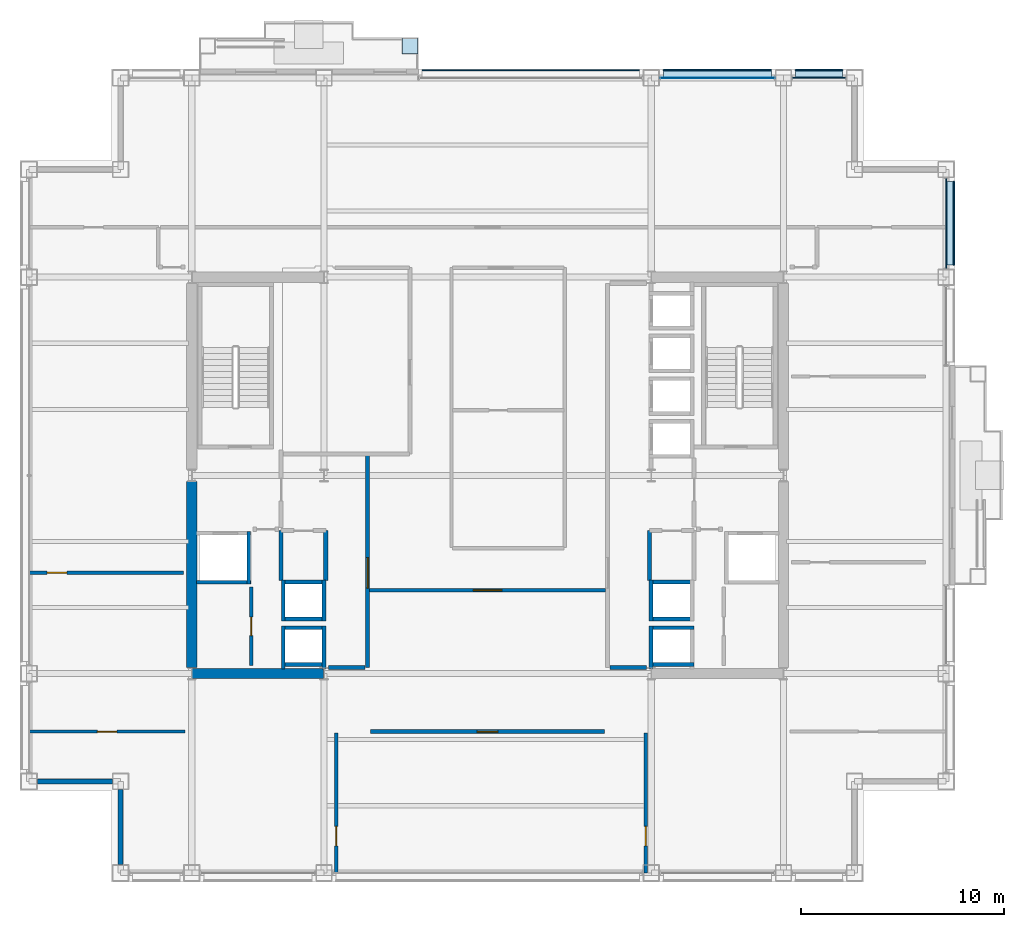
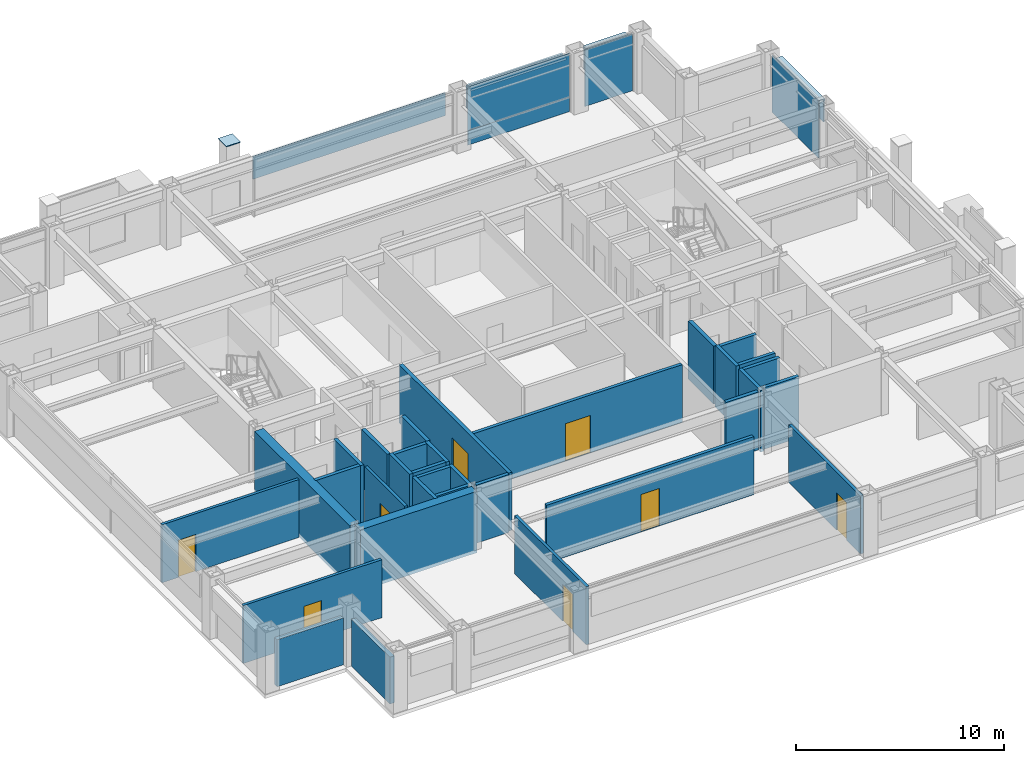
# One storey, part 24 of 29: 33 walls, 12 plates, 8 doors, 8 openings, 3 elements without a shape of their own.
"""IFC4 building model written with IfcOpenShell, lengths in metres."""

from ifc_helpers import new_model, si_unit, direction, frame, frame_2d, origin, origin_2d, place, context, subcontext, project, spatial, rectangle, extrude, material, layer, layer_set, type_object, element, fill, aggregate, save


model = new_model("IFC4")

# Units and contexts
model_context = context("Model", 3, precision=1e-05, world=origin(), true_north=direction((0.0, 1.0)))
body_context = subcontext(model_context, "Body", "Model", "MODEL_VIEW")
ifc_project = project(units=[si_unit("LENGTHUNIT", "METRE"), si_unit("AREAUNIT", "SQUARE_METRE"), si_unit("VOLUMEUNIT", "CUBIC_METRE"), si_unit("PLANEANGLEUNIT", "RADIAN"), si_unit("MASSUNIT", "GRAM", prefix="KILO")], contexts=[model_context])

# Site, building, storey
site_placement = place(None, origin())
site = spatial("IfcSite", under=ifc_project, at=site_placement, CompositionType="ELEMENT")
building_placement = place(site_placement, origin())
building = spatial("IfcBuilding", under=site, at=building_placement, Name="Brelmoor Portico Tower", CompositionType="ELEMENT")
storey_placement = place(building_placement, frame((0.0, 0.0, 124.199951171875)))
storey = spatial("IfcBuildingStorey", under=building, at=storey_placement, Name="L32", CompositionType="ELEMENT", Elevation=124.199951171875)

# Plate
ifc_material_1 = material(Name="Steel Q355B", Category="steel")
ifc_layer_1 = layer(ifc_material_1, 0.044921875)
ifc_layer_set_1 = layer_set([ifc_layer_1], Name="Steel Q355B")
plate_type_1 = type_object("IfcPlateType", Name="PT-CAP-650", PredefinedType="SHEET", material=ifc_layer_set_1)
plate_1_placement = place(storey_placement, frame((-3.820068359375, 21.1298828125, 3.60009765625), z_axis=(0.0, 0.0, 1.0), x_axis=(1.0, 0.0, 0.0)))
element("IfcPlate", 1, at=plate_1_placement, inside=storey, type_object=plate_type_1, Name="L32 Proud Picture-Frame Pier PFJ-N2 Welded Head Cap Plate", PredefinedType="SHEET", context=body_context, shape_type="SweptSolid", body=[
    extrude(rectangle(XDim=0.7900390625, YDim=0.7900390625, at=origin_2d()), origin(), (0.0, 0.0, 1.0), 0.0400390625),
])

# Curtain wall, plates
ifc_material_2 = material(Name="Anodised Aluminium Alloy 6063-T6", Category="aluminium")
ifc_layer_2 = layer(ifc_material_2, 0.179931640625)
ifc_layer_set_2 = layer_set([ifc_layer_2], Name="Anodised Aluminium Alloy 6063-T6")
curtain_wall_type_1 = type_object("IfcCurtainWallType", Name="CW-TOWER-Z2", PredefinedType="NOTDEFINED", material=ifc_layer_set_2)
curtain_wall_1_placement = place(storey_placement, origin())
curtain_wall_1 = element("IfcCurtainWall", 2, at=curtain_wall_1_placement, inside=storey, type_object=curtain_wall_type_1, Name="L32 Curtain Wall CW-L32-2R-2", PredefinedType="NOTDEFINED")
ifc_material_3 = material(Name="Double-Silver Low-E Insulated Glazing", Category="glass")
ifc_layer_3 = layer(ifc_material_3, 0.035888671875)
ifc_layer_set_3 = layer_set([ifc_layer_3], Name="Double-Silver Low-E Insulated Glazing")
plate_type_2 = type_object("IfcPlateType", Name="PT-CW-GLASS", PredefinedType="CURTAIN_PANEL", material=ifc_layer_set_3)
plate_2_placement = place(storey_placement, frame((11.300048828125, 19.550048828125, 0.85009765625), z_axis=(0.0, 0.0, 1.0), x_axis=(1.0, 0.0, 0.0)))
plate_2 = element("IfcPlate", 3, at=plate_2_placement, type_object=plate_type_2, Name="CW-L32-2R-2 Vision Glass Panel 00", PredefinedType="CURTAIN_PANEL", context=body_context, shape_type="SweptSolid", body=[
    extrude(rectangle(XDim=5.64990234375, YDim=0.035888671875, at=origin_2d()), origin(), (0.0, 0.0, 1.0), 2.550048828125),
])
ifc_material_4 = material(Name="Pale Champagne Anodised Aluminium Panel", Category="aluminium")
ifc_layer_4 = layer(ifc_material_4, 0.050048828125)
ifc_layer_set_4 = layer_set([ifc_layer_4], Name="Pale Champagne Anodised Aluminium Panel")
plate_type_3 = type_object("IfcPlateType", Name="PT-CW-SPANDREL", PredefinedType="SHEET", material=ifc_layer_set_4)
plate_3_placement = place(storey_placement, frame((11.300048828125, 19.550048828125, 0.0), z_axis=(0.0, 0.0, 1.0), x_axis=(1.0, 0.0, 0.0)))
plate_3 = element("IfcPlate", 4, at=plate_3_placement, type_object=plate_type_3, Name="CW-L32-2R-2 Spandrel Panel 00", PredefinedType="SHEET", context=body_context, shape_type="SweptSolid", body=[
    extrude(rectangle(XDim=5.64990234375, YDim=0.050048828125, at=origin_2d()), origin(), (0.0, 0.0, 1.0), 0.85009765625),
])
aggregate(curtain_wall_1, [plate_3, plate_2])

# Curtain wall, plate
ifc_layer_5 = layer(ifc_material_2, 0.179931640625)
ifc_layer_set_5 = layer_set([ifc_layer_5], Name="Anodised Aluminium Alloy 6063-T6")
curtain_wall_type_2 = type_object("IfcCurtainWallType", Name="CW-TOWER-Z2-XB", PredefinedType="NOTDEFINED", material=ifc_layer_set_5)
curtain_wall_2_placement = place(storey_placement, origin())
curtain_wall_2 = element("IfcCurtainWall", 5, at=curtain_wall_2_placement, inside=storey, type_object=curtain_wall_type_2, Name="L32 Curtain Wall CW-L32-2R-3", PredefinedType="NOTDEFINED")
plate_4_placement = place(storey_placement, frame((16.300048828125, 19.550048828125, 0.0), z_axis=(0.0, 0.0, 1.0), x_axis=(1.0, 0.0, 0.0)))
plate_4 = element("IfcPlate", 6, at=plate_4_placement, type_object=plate_type_3, Name="CW-L32-2R-3 Spandrel Panel 00", PredefinedType="SHEET", context=body_context, shape_type="SweptSolid", body=[
    extrude(rectangle(XDim=2.64990234375, YDim=0.050048828125, at=origin_2d()), origin(), (0.0, 0.0, 1.0), 3.330078125),
])
aggregate(curtain_wall_2, [plate_4])

curtain_wall_3_placement = place(storey_placement, origin())
curtain_wall_3 = element("IfcCurtainWall", 7, at=curtain_wall_3_placement, inside=storey, type_object=curtain_wall_type_2, Name="L32 Curtain Wall CW-L32-4R-2", PredefinedType="NOTDEFINED")
plate_5_placement = place(storey_placement, frame((22.550048828125, 12.39990234375, 0.0), z_axis=(0.0, 0.0, 1.0), x_axis=(0.0, 1.0, 0.0)))
plate_5 = element("IfcPlate", 8, at=plate_5_placement, type_object=plate_type_3, Name="CW-L32-4R-2 Spandrel Panel 00", PredefinedType="SHEET", context=body_context, shape_type="SweptSolid", body=[
    extrude(rectangle(XDim=4.449951171875, YDim=0.050048828125, at=origin_2d()), origin(), (0.0, 0.0, 1.0), 3.330078125),
])
aggregate(curtain_wall_3, [plate_5])

# Plates
ifc_material_5 = material(Name="Powder-Coated Aluminium Shuttered Jalousie Louvre", Category="aluminium")
ifc_layer_6 = layer(ifc_material_5, 0.06005859375)
ifc_layer_set_6 = layer_set([ifc_layer_6], Name="Powder-Coated Aluminium Shuttered Jalousie Louvre")
plate_type_4 = type_object("IfcPlateType", Name="PT-JALOUSIE-SHUTTER", PredefinedType="SHEET", material=ifc_layer_set_6)
plate_6_placement = place(storey_placement, frame((2.1201171875, 19.929931640625, 1.8740234375), z_axis=(0.0, 0.0, 1.0), x_axis=(1.0, 0.0, 0.0)))
element("IfcPlate", 9, at=plate_6_placement, inside=storey, type_object=plate_type_4, Name="CW-L32-2R-1 Perforated Jalousie Solar Screen", PredefinedType="SHEET", context=body_context, shape_type="SweptSolid", body=[
    extrude(rectangle(XDim=10.679931640625, YDim=0.06494140625, at=origin_2d()), origin(), (0.0, 0.0, 1.0), 1.325927734375),
])
plate_7_placement = place(storey_placement, frame((11.300048828125, 19.929931640625, 1.8740234375), z_axis=(0.0, 0.0, 1.0), x_axis=(1.0, 0.0, 0.0)))
element("IfcPlate", 10, at=plate_7_placement, inside=storey, type_object=plate_type_4, Name="CW-L32-2R-2 Perforated Jalousie Solar Screen", PredefinedType="SHEET", context=body_context, shape_type="SweptSolid", body=[
    extrude(rectangle(XDim=5.320068359375, YDim=0.06494140625, at=origin_2d()), origin(), (0.0, 0.0, 1.0), 1.325927734375),
])
plate_8_placement = place(storey_placement, frame((16.300048828125, 19.929931640625, 1.8740234375), z_axis=(0.0, 0.0, 1.0), x_axis=(1.0, 0.0, 0.0)))
element("IfcPlate", 11, at=plate_8_placement, inside=storey, type_object=plate_type_4, Name="CW-L32-2R-3 Perforated Jalousie Solar Screen", PredefinedType="SHEET", context=body_context, shape_type="SweptSolid", body=[
    extrude(rectangle(XDim=2.320068359375, YDim=0.06494140625, at=origin_2d()), origin(), (0.0, 0.0, 1.0), 1.325927734375),
])
plate_9_placement = place(storey_placement, frame((22.929931640625, 12.39990234375, 1.8740234375), z_axis=(0.0, 0.0, 1.0), x_axis=(0.0, 1.0, 0.0)))
element("IfcPlate", 12, at=plate_9_placement, inside=storey, type_object=plate_type_4, Name="CW-L32-4R-2 Perforated Jalousie Solar Screen", PredefinedType="SHEET", context=body_context, shape_type="SweptSolid", body=[
    extrude(rectangle(XDim=4.1201171875, YDim=0.06494140625, at=origin_2d()), origin(), (0.0, 0.0, 1.0), 1.325927734375),
])
ifc_material_6 = material(Name="Pale Champagne Perforated Aluminium Solar Screen", Category="aluminium")
ifc_layer_7 = layer(ifc_material_6, 0.054931640625)
ifc_layer_set_7 = layer_set([ifc_layer_7], Name="Pale Champagne Perforated Aluminium Solar Screen")
plate_type_5 = type_object("IfcPlateType", Name="PT-SOLAR-LOUVRE", PredefinedType="SHEET", material=ifc_layer_set_7)
plate_10_placement = place(storey_placement, frame((11.300048828125, 19.760009765625, 3.09033203125), z_axis=(0.0, 0.0, 1.0), x_axis=(1.0, 0.0, 0.0)))
element("IfcPlate", 13, at=plate_10_placement, inside=storey, type_object=plate_type_5, Name="CW-L32-2R-2 Caribbean Brise-Soleil Solar Screen", PredefinedType="SHEET", context=body_context, shape_type="SweptSolid", body=[
    extrude(rectangle(XDim=5.320068359375, YDim=0.4599609375, at=origin_2d()), origin(), (0.0, 0.0, 1.0), 0.139892578125),
])
plate_11_placement = place(storey_placement, frame((16.300048828125, 19.760009765625, 3.09033203125), z_axis=(0.0, 0.0, 1.0), x_axis=(1.0, 0.0, 0.0)))
element("IfcPlate", 14, at=plate_11_placement, inside=storey, type_object=plate_type_5, Name="CW-L32-2R-3 Caribbean Brise-Soleil Solar Screen", PredefinedType="SHEET", context=body_context, shape_type="SweptSolid", body=[
    extrude(rectangle(XDim=2.320068359375, YDim=0.4599609375, at=origin_2d()), origin(), (0.0, 0.0, 1.0), 0.139892578125),
])
plate_12_placement = place(storey_placement, frame((22.760009765625, 12.39990234375, 3.09033203125), z_axis=(0.0, 0.0, 1.0), x_axis=(0.0, 1.0, 0.0)))
element("IfcPlate", 15, at=plate_12_placement, inside=storey, type_object=plate_type_5, Name="CW-L32-4R-2 Caribbean Brise-Soleil Solar Screen", PredefinedType="SHEET", context=body_context, shape_type="SweptSolid", body=[
    extrude(rectangle(XDim=4.1201171875, YDim=0.4599609375, at=origin_2d()), origin(), (0.0, 0.0, 1.0), 0.139892578125),
])

# Walls
ifc_material_7 = material(Name="Concrete C60", Category="concrete")
ifc_layer_8 = layer(ifc_material_7, 0.5)
ifc_layer_set_8 = layer_set([ifc_layer_8], Name="Concrete C60")
wall_type_1 = type_object("IfcWallType", Name="WL-CORE-500", PredefinedType="SHEAR", material=ifc_layer_set_8)
wall_1_placement = place(storey_placement, frame((-14.530029296875, -9.75, -0.199951171875), z_axis=(0.0, 0.0, 1.0), x_axis=(1.0, 0.0, 0.0)))
element("IfcWall", 16, at=wall_1_placement, inside=storey, type_object=wall_type_1, Name="L32 WC South Shear Wall", PredefinedType="SHEAR", context=body_context, shape_type="SweptSolid", body=[
    extrude(rectangle(XDim=6.4599609375, YDim=0.5, at=frame_2d((3.22998046875, 0.0))), origin(), (0.0, 0.0, 1.0), 3.60009765625),
])
wall_2_placement = place(storey_placement, frame((-14.550048828125, -9.449951171875, -0.199951171875), z_axis=(0.0, 0.0, 1.0), x_axis=(0.0, 1.0, 0.0)))
element("IfcWall", 17, at=wall_2_placement, inside=storey, type_object=wall_type_1, Name="L32 WC Outer South Shear Wall", PredefinedType="SHEAR", context=body_context, shape_type="SweptSolid", body=[
    extrude(rectangle(XDim=9.14990234375, YDim=0.5, at=frame_2d((4.574951171875, 0.0))), origin(), (0.0, 0.0, 1.0), 3.60009765625),
])
ifc_material_8 = material(Name="Precast Concrete C40 Insulated Facade Wall", Category="concrete")
ifc_layer_9 = layer(ifc_material_8, 0.25)
ifc_layer_set_9 = layer_set([ifc_layer_9], Name="Precast Concrete C40 Insulated Facade Wall")
wall_type_2 = type_object("IfcWallType", Name="WL-EXT-250", PredefinedType="STANDARD", material=ifc_layer_set_9)
for number, where, z_axis, x_axis, name in (
    (18, (-22.139892578125, -15.050048828125, 0.0), (0.0, 0.0, 1.0), (1.0, 0.0, 0.0), "L32 Corner Notch Facade Wall NSWH1"),
    (19, (-18.050048828125, -19.139892578125, 0.0), (0.0, 0.0, 1.0), (0.0, 1.0, 0.0), "L32 Corner Notch Facade Wall NSWV1"),
):
    element("IfcWall", number, at=place(storey_placement, frame(where, z_axis=z_axis, x_axis=x_axis)), inside=storey, type_object=wall_type_2, Name=name, PredefinedType="STANDARD", context=body_context, shape_type="SweptSolid", body=[
        extrude(rectangle(XDim=3.679931640625, YDim=0.25, at=frame_2d((1.83984375, 0.0))), origin(), (0.0, 0.0, 1.0), 2.75),
    ])

# Wall, opening, door
ifc_material_9 = material(Name="Twin-Frame Acoustic Partition", Category="gypsum")
ifc_layer_10 = layer(ifc_material_9, 0.159912109375)
ifc_layer_set_10 = layer_set([ifc_layer_10], Name="Twin-Frame Acoustic Partition")
wall_type_3 = type_object("IfcWallType", Name="WL-PART-160", PredefinedType="PARTITIONING", material=ifc_layer_set_10)
wall_3_placement = place(storey_placement, frame((-11.6201171875, -9.35009765625, 0.0), z_axis=(0.0, 0.0, 1.0), x_axis=(0.0, 1.0, 0.0)))
wall_3 = element("IfcWall", 20, at=wall_3_placement, inside=storey, type_object=wall_type_3, Name="L32 W Core Service Front Wall", PredefinedType="PARTITIONING", context=body_context, shape_type="SweptSolid", body=[
    extrude(rectangle(XDim=3.85009765625, YDim=0.159912109375, at=frame_2d((1.925048828125, 0.0))), origin(), (0.0, 0.0, 1.0), 3.400146484375),
])
opening_1_placement = place(wall_3_placement, frame((1.47509765625, 0.0, 0.0)))
opening_1 = element("IfcOpeningElement", 21, at=opening_1_placement, cuts=wall_3, Name="Opening D-IN1", PredefinedType="OPENING", context=body_context, shape_type="SweptSolid", body=[
    extrude(rectangle(XDim=0.89990234375, YDim=2.14990234375, at=frame_2d((0.449951171875, 1.074951171875))), frame((0.0, 0.08984375, 0.0), z_axis=(0.0, -1.0, 0.0), x_axis=(1.0, 0.0, 0.0)), (0.0, 0.0, 1.0), 0.179931640625),
])
ifc_material_10 = material(Name="Lacquered Timber Suite Door", Category="wood")
door_type_1 = type_object("IfcDoorType", Name="DR-INT-900", OperationType="NOTDEFINED", PredefinedType="DOOR", material=ifc_material_10)
door_1_placement = place(opening_1_placement, origin())
door_1 = element("IfcDoor", 22, at=door_1_placement, inside=storey, type_object=door_type_1, Name="D-1402 L32 W Accessible WC Door", OperationType="SINGLE_SWING_LEFT", OverallHeight=2.14990234375, OverallWidth=0.89990234375, PredefinedType="DOOR", context=body_context, shape_type="SweptSolid", body=[
    extrude(rectangle(XDim=0.89990234375, YDim=2.14990234375, at=frame_2d((0.449951171875, 1.074951171875))), frame((0.0, 0.02490234375, 0.0), z_axis=(0.0, -1.0, 0.0), x_axis=(1.0, 0.0, 0.0)), (0.0, 0.0, 1.0), 0.050048828125),
])
fill(opening_1, door_1)

wall_4_placement = place(storey_placement, frame((-7.4404296875, -19.56005859375, 0.0), z_axis=(0.0, 0.0, 1.0), x_axis=(0.0, 1.0, 0.0)))
wall_4 = element("IfcWall", 23, at=wall_4_placement, inside=storey, type_object=wall_type_3, Name="L32 South Suite Partition 1", PredefinedType="PARTITIONING", context=body_context, shape_type="SweptSolid", body=[
    extrude(rectangle(XDim=6.900146484375, YDim=0.159912109375, at=frame_2d((3.4501953125, 0.0))), origin(), (0.0, 0.0, 1.0), 3.400146484375),
])
opening_2_placement = place(wall_4_placement, frame((1.340087890625, 0.0, 0.0)))
opening_2 = element("IfcOpeningElement", 24, at=opening_2_placement, cuts=wall_4, Name="Opening D-IN2", PredefinedType="OPENING", context=body_context, shape_type="SweptSolid", body=[
    extrude(rectangle(XDim=0.9599609375, YDim=2.179931640625, at=frame_2d((0.47998046875, 1.08984375))), frame((0.0, 0.08984375, 0.0), z_axis=(0.0, -1.0, 0.0), x_axis=(1.0, 0.0, 0.0)), (0.0, 0.0, 1.0), 0.179931640625),
])
door_type_2 = type_object("IfcDoorType", Name="DR-INT-950", OperationType="NOTDEFINED", PredefinedType="DOOR", material=ifc_material_10)
door_2_placement = place(opening_2_placement, origin())
door_2 = element("IfcDoor", 25, at=door_2_placement, inside=storey, type_object=door_type_2, Name="D-1414 L32 South Suite Connecting Door 1", OperationType="SINGLE_SWING_RIGHT", OverallHeight=2.179931640625, OverallWidth=0.9599609375, PredefinedType="DOOR", context=body_context, shape_type="SweptSolid", body=[
    extrude(rectangle(XDim=0.9599609375, YDim=2.179931640625, at=frame_2d((0.47998046875, 1.08984375))), frame((0.0, 0.02490234375, 0.0), z_axis=(0.0, -1.0, 0.0), x_axis=(1.0, 0.0, 0.0)), (0.0, 0.0, 1.0), 0.050048828125),
])
fill(opening_2, door_2)

wall_5_placement = place(storey_placement, frame((7.778564453125, -19.56005859375, 0.0), z_axis=(0.0, 0.0, 1.0), x_axis=(0.0, 1.0, 0.0)))
wall_5 = element("IfcWall", 26, at=wall_5_placement, inside=storey, type_object=wall_type_3, Name="L32 South Suite Partition 2", PredefinedType="PARTITIONING", context=body_context, shape_type="SweptSolid", body=[
    extrude(rectangle(XDim=6.900146484375, YDim=0.159912109375, at=frame_2d((3.4501953125, 0.0))), origin(), (0.0, 0.0, 1.0), 3.400146484375),
])
opening_3_placement = place(wall_5_placement, frame((1.340087890625, 0.0, 0.0)))
opening_3 = element("IfcOpeningElement", 27, at=opening_3_placement, cuts=wall_5, Name="Opening D-IN2", PredefinedType="OPENING", context=body_context, shape_type="SweptSolid", body=[
    extrude(rectangle(XDim=0.9599609375, YDim=2.179931640625, at=frame_2d((0.47998046875, 1.08984375))), frame((0.0, 0.08984375, 0.0), z_axis=(0.0, -1.0, 0.0), x_axis=(1.0, 0.0, 0.0)), (0.0, 0.0, 1.0), 0.179931640625),
])
door_3_placement = place(opening_3_placement, origin())
door_3 = element("IfcDoor", 28, at=door_3_placement, inside=storey, type_object=door_type_2, Name="D-1415 L32 South Suite Connecting Door 2", OperationType="SINGLE_SWING_LEFT", OverallHeight=2.179931640625, OverallWidth=0.9599609375, PredefinedType="DOOR", context=body_context, shape_type="SweptSolid", body=[
    extrude(rectangle(XDim=0.9599609375, YDim=2.179931640625, at=frame_2d((0.47998046875, 1.08984375))), frame((0.0, 0.02490234375, 0.0), z_axis=(0.0, -1.0, 0.0), x_axis=(1.0, 0.0, 0.0)), (0.0, 0.0, 1.0), 0.050048828125),
])
fill(opening_3, door_3)

wall_6_placement = place(storey_placement, frame((-22.56005859375, -12.60009765625, 0.0), z_axis=(0.0, 0.0, 1.0), x_axis=(1.0, 0.0, 0.0)))
wall_6 = element("IfcWall", 29, at=wall_6_placement, inside=storey, type_object=wall_type_3, Name="L32 South Wing Closure WL", PredefinedType="PARTITIONING", context=body_context, shape_type="SweptSolid", body=[
    extrude(rectangle(XDim=7.68017578125, YDim=0.159912109375, at=frame_2d((3.840087890625, 0.0))), origin(), (0.0, 0.0, 1.0), 3.400146484375),
])
opening_4_placement = place(wall_6_placement, frame((3.360107421875, 0.0, 0.0)))
opening_4 = element("IfcOpeningElement", 30, at=opening_4_placement, cuts=wall_6, Name="Opening D-IN2", PredefinedType="OPENING", context=body_context, shape_type="SweptSolid", body=[
    extrude(rectangle(XDim=0.9599609375, YDim=2.179931640625, at=frame_2d((0.47998046875, 1.08984375))), frame((0.0, 0.08984375, 0.0), z_axis=(0.0, -1.0, 0.0), x_axis=(1.0, 0.0, 0.0)), (0.0, 0.0, 1.0), 0.179931640625),
])
door_4_placement = place(opening_4_placement, origin())
door_4 = element("IfcDoor", 31, at=door_4_placement, inside=storey, type_object=door_type_2, Name="D-1419 L32 WL Wing South Suite Door", OperationType="SINGLE_SWING_LEFT", OverallHeight=2.179931640625, OverallWidth=0.9599609375, PredefinedType="DOOR", context=body_context, shape_type="SweptSolid", body=[
    extrude(rectangle(XDim=0.9599609375, YDim=2.179931640625, at=frame_2d((0.47998046875, 1.08984375))), frame((0.0, 0.02490234375, 0.0), z_axis=(0.0, -1.0, 0.0), x_axis=(1.0, 0.0, 0.0)), (0.0, 0.0, 1.0), 0.050048828125),
])
fill(opening_4, door_4)

wall_7_placement = place(storey_placement, frame((-22.56005859375, -4.788330078125, 0.0), z_axis=(0.0, 0.0, 1.0), x_axis=(1.0, 0.0, 0.0)))
wall_7 = element("IfcWall", 32, at=wall_7_placement, inside=storey, type_object=wall_type_3, Name="L32 W Wing Partition 1", PredefinedType="PARTITIONING", context=body_context, shape_type="SweptSolid", body=[
    extrude(rectangle(XDim=7.60009765625, YDim=0.159912109375, at=frame_2d((3.800048828125, 0.0))), origin(), (0.0, 0.0, 1.0), 3.400146484375),
])
opening_5_placement = place(wall_7_placement, frame((0.89990234375, 0.0, 0.0)))
opening_5 = element("IfcOpeningElement", 33, at=opening_5_placement, cuts=wall_7, Name="Opening D-IN2", PredefinedType="OPENING", context=body_context, shape_type="SweptSolid", body=[
    extrude(rectangle(XDim=0.9599609375, YDim=2.179931640625, at=frame_2d((0.47998046875, 1.08984375))), frame((0.0, 0.08984375, 0.0), z_axis=(0.0, -1.0, 0.0), x_axis=(1.0, 0.0, 0.0)), (0.0, 0.0, 1.0), 0.179931640625),
])
door_5_placement = place(opening_5_placement, origin())
door_5 = element("IfcDoor", 34, at=door_5_placement, inside=storey, type_object=door_type_2, Name="D-1426 L32 W Wing Suite Connecting Door 1", OperationType="SINGLE_SWING_RIGHT", OverallHeight=2.179931640625, OverallWidth=0.9599609375, PredefinedType="DOOR", context=body_context, shape_type="SweptSolid", body=[
    extrude(rectangle(XDim=0.9599609375, YDim=2.179931640625, at=frame_2d((0.47998046875, 1.08984375))), frame((0.0, 0.02490234375, 0.0), z_axis=(0.0, -1.0, 0.0), x_axis=(1.0, 0.0, 0.0)), (0.0, 0.0, 1.0), 0.050048828125),
])
fill(opening_5, door_5)

ifc_material_11 = material(Name="Acoustic Corridor Fire Partition", Category="gypsum")
ifc_layer_11 = layer(ifc_material_11, 0.179931640625)
ifc_layer_set_11 = layer_set([ifc_layer_11], Name="Acoustic Corridor Fire Partition")
wall_type_4 = type_object("IfcWallType", Name="WL-PART-180", PredefinedType="PARTITIONING", material=ifc_layer_set_11)
wall_8_placement = place(storey_placement, frame((-5.800048828125, -5.64990234375, 0.0), z_axis=(0.0, 0.0, 1.0), x_axis=(1.0, 0.0, 0.0)))
wall_8 = element("IfcWall", 35, at=wall_8_placement, inside=storey, type_object=wall_type_4, Name="L32 South Hub Corridor Wall", PredefinedType="PARTITIONING", context=body_context, shape_type="SweptSolid", body=[
    extrude(rectangle(XDim=11.60009765625, YDim=0.179931640625, at=frame_2d((5.800048828125, 0.0))), origin(), (0.0, 0.0, 1.0), 3.400146484375),
])
opening_6_placement = place(wall_8_placement, frame((5.10009765625, 0.0, 0.0)))
opening_6 = element("IfcOpeningElement", 36, at=opening_6_placement, cuts=wall_8, Name="Opening D-SU2", PredefinedType="OPENING", context=body_context, shape_type="SweptSolid", body=[
    extrude(rectangle(XDim=1.39990234375, YDim=2.199951171875, at=frame_2d((0.699951171875, 1.10009765625))), frame((0.0, 0.099853515625, 0.0), z_axis=(0.0, -1.0, 0.0), x_axis=(1.0, 0.0, 0.0)), (0.0, 0.0, 1.0), 0.199951171875),
])
ifc_material_12 = material(Name="Double-Leaf Acoustic Suite Door", Category="timber")
door_type_3 = type_object("IfcDoorType", Name="DR-SUITE-1400", OperationType="NOTDEFINED", PredefinedType="DOOR", material=ifc_material_12)
door_6_placement = place(opening_6_placement, origin())
door_6 = element("IfcDoor", 37, at=door_6_placement, inside=storey, type_object=door_type_3, Name="D-1396 L32 South Reception Hub Door", OperationType="DOUBLE_DOOR_SINGLE_SWING", OverallHeight=2.199951171875, OverallWidth=1.39990234375, PredefinedType="DOOR", context=body_context, shape_type="SweptSolid", body=[
    extrude(rectangle(XDim=1.39990234375, YDim=2.199951171875, at=frame_2d((0.699951171875, 1.10009765625))), frame((0.0, 0.02490234375, 0.0), z_axis=(0.0, -1.0, 0.0), x_axis=(1.0, 0.0, 0.0)), (0.0, 0.0, 1.0), 0.050048828125),
])
fill(opening_6, door_6)

wall_9_placement = place(storey_placement, frame((-5.75, -12.60009765625, 0.0), z_axis=(0.0, 0.0, 1.0), x_axis=(1.0, 0.0, 0.0)))
wall_9 = element("IfcWall", 38, at=wall_9_placement, inside=storey, type_object=wall_type_4, Name="L32 South Corridor Partition", PredefinedType="PARTITIONING", context=body_context, shape_type="SweptSolid", body=[
    extrude(rectangle(XDim=11.5, YDim=0.179931640625, at=frame_2d((5.75, 0.0))), origin(), (0.0, 0.0, 1.0), 3.400146484375),
])
opening_7_placement = place(wall_9_placement, frame((5.239990234375, 0.0, 0.0)))
opening_7 = element("IfcOpeningElement", 39, at=opening_7_placement, cuts=wall_9, Name="Opening D-OF1", PredefinedType="OPENING", context=body_context, shape_type="SweptSolid", body=[
    extrude(rectangle(XDim=1.02001953125, YDim=2.199951171875, at=frame_2d((0.510009765625, 1.10009765625))), frame((0.0, 0.099853515625, 0.0), z_axis=(0.0, -1.0, 0.0), x_axis=(1.0, 0.0, 0.0)), (0.0, 0.0, 1.0), 0.199951171875),
])
ifc_material_13 = material(Name="Hardwood Acoustic Veneer Door", Category="wood")
door_type_4 = type_object("IfcDoorType", Name="DR-OFFICE-1000", OperationType="NOTDEFINED", PredefinedType="DOOR", material=ifc_material_13)
door_7_placement = place(opening_7_placement, origin())
door_7 = element("IfcDoor", 40, at=door_7_placement, inside=storey, type_object=door_type_4, Name="D-1413 L32 South Technical Storage 2 Door", OperationType="SINGLE_SWING_RIGHT", OverallHeight=2.199951171875, OverallWidth=1.02001953125, PredefinedType="DOOR", context=body_context, shape_type="SweptSolid", body=[
    extrude(rectangle(XDim=1.02001953125, YDim=2.199951171875, at=frame_2d((0.510009765625, 1.10009765625))), frame((0.0, 0.02490234375, 0.0), z_axis=(0.0, -1.0, 0.0), x_axis=(1.0, 0.0, 0.0)), (0.0, 0.0, 1.0), 0.050048828125),
])
fill(opening_7, door_7)

ifc_material_14 = material(Name="Double-Stud Gypsum Fire Partition", Category="gypsum")
ifc_layer_12 = layer(ifc_material_14, 0.199951171875)
ifc_layer_set_12 = layer_set([ifc_layer_12], Name="Double-Stud Gypsum Fire Partition")
wall_type_5 = type_object("IfcWallType", Name="WL-PART-200", PredefinedType="PARTITIONING", material=ifc_layer_set_12)
wall_10_placement = place(storey_placement, frame((-5.89990234375, -9.449951171875, 0.0), z_axis=(0.0, 0.0, 1.0), x_axis=(0.0, 1.0, 0.0)))
wall_10 = element("IfcWall", 41, at=wall_10_placement, inside=storey, type_object=wall_type_5, Name="L32 W Core Lobby Compartment Wall", PredefinedType="PARTITIONING", context=body_context, shape_type="SweptSolid", body=[
    extrude(rectangle(XDim=10.5, YDim=0.199951171875, at=frame_2d((5.25, 0.0))), origin(), (0.0, 0.0, 1.0), 3.400146484375),
])
opening_8_placement = place(wall_10_placement, frame((3.89990234375, 0.0, 0.0)))
opening_8 = element("IfcOpeningElement", 42, at=opening_8_placement, cuts=wall_10, Name="Opening D-LB1", PredefinedType="OPENING", context=body_context, shape_type="SweptSolid", body=[
    extrude(rectangle(XDim=1.5, YDim=2.199951171875, at=frame_2d((0.75, 1.10009765625))), frame((0.0, 0.10986328125, 0.0), z_axis=(0.0, -1.0, 0.0), x_axis=(1.0, 0.0, 0.0)), (0.0, 0.0, 1.0), 0.219970703125),
])
ifc_material_15 = material(Name="Double-Leaf Glazed Steel Fire Door", Category="steel")
door_type_5 = type_object("IfcDoorType", Name="DR-LOBBY-1500", OperationType="NOTDEFINED", PredefinedType="DOOR", material=ifc_material_15)
door_8_placement = place(opening_8_placement, origin())
door_8 = element("IfcDoor", 43, at=door_8_placement, inside=storey, type_object=door_type_5, Name="D-1408 L32 W Lift Lobby Main Door", OperationType="DOUBLE_DOOR_SINGLE_SWING", OverallHeight=2.199951171875, OverallWidth=1.5, PredefinedType="DOOR", context=body_context, shape_type="SweptSolid", body=[
    extrude(rectangle(XDim=1.5, YDim=2.199951171875, at=frame_2d((0.75, 1.10009765625))), frame((0.0, 0.02490234375, 0.0), z_axis=(0.0, -1.0, 0.0), x_axis=(1.0, 0.0, 0.0)), (0.0, 0.0, 1.0), 0.050048828125),
])
fill(opening_8, door_8)

# Walls
wall_11_placement = place(storey_placement, frame((-6.02001953125, -9.449951171875, 0.0), z_axis=(0.0, 0.0, 1.0), x_axis=(-1.0, 0.0, 0.0)))
element("IfcWall", 44, at=wall_11_placement, inside=storey, type_object=wall_type_5, Name="L32 W Lift Lobby South End Wall", PredefinedType="PARTITIONING", context=body_context, shape_type="SweptSolid", body=[
    extrude(rectangle(XDim=1.800048828125, YDim=0.199951171875, at=frame_2d((0.89990234375, 0.0))), origin(), (0.0, 0.0, 1.0), 3.400146484375),
])
for number, where, z_axis, x_axis, name in (
    (45, (-7.9599609375, -5.159912109375, 0.0), (0.0, 0.0, 1.0), (0.0, 1.0, 0.0), "L32 W Electrical Switchgear Closet Inner Wall"),
    (46, (-10.159912109375, -5.159912109375, 0.0), (0.0, 0.0, 1.0), (0.0, 1.0, 0.0), "L32 W Electrical Switchgear Closet Outer Wall"),
):
    element("IfcWall", number, at=place(storey_placement, frame(where, z_axis=z_axis, x_axis=x_axis)), inside=storey, type_object=wall_type_5, Name=name, PredefinedType="PARTITIONING", context=body_context, shape_type="SweptSolid", body=[
        extrude(rectangle(XDim=2.43994140625, YDim=0.199951171875, at=frame_2d((1.219970703125, 0.0))), origin(), (0.0, 0.0, 1.0), 3.400146484375),
    ])
wall_12_placement = place(storey_placement, frame((6.02001953125, -9.449951171875, 0.0), z_axis=(0.0, 0.0, 1.0), x_axis=(1.0, 0.0, 0.0)))
element("IfcWall", 47, at=wall_12_placement, inside=storey, type_object=wall_type_5, Name="L32 E Lift Lobby South End Wall", PredefinedType="PARTITIONING", context=body_context, shape_type="SweptSolid", body=[
    extrude(rectangle(XDim=1.800048828125, YDim=0.199951171875, at=frame_2d((0.89990234375, 0.0))), origin(), (0.0, 0.0, 1.0), 3.400146484375),
])
wall_13_placement = place(storey_placement, frame((7.9599609375, -5.159912109375, 0.0), z_axis=(0.0, 0.0, 1.0), x_axis=(0.0, 1.0, 0.0)))
element("IfcWall", 48, at=wall_13_placement, inside=storey, type_object=wall_type_5, Name="L32 E Electrical Switchgear Closet Inner Wall", PredefinedType="PARTITIONING", context=body_context, shape_type="SweptSolid", body=[
    extrude(rectangle(XDim=2.43994140625, YDim=0.199951171875, at=frame_2d((1.219970703125, 0.0))), origin(), (0.0, 0.0, 1.0), 3.400146484375),
])
ifc_material_16 = material(Name="Precast Concrete C40", Category="concrete")
ifc_layer_13 = layer(ifc_material_16, 0.18994140625)
ifc_layer_set_13 = layer_set([ifc_layer_13], Name="Precast Concrete C40")
wall_type_6 = type_object("IfcWallType", Name="WL-SHAFT-180", PredefinedType="SOLIDWALL", material=ifc_layer_set_13)
for number, where, z_axis, x_axis, name in (
    (49, (-8.044921875, -9.52001953125, -0.199951171875), (0.0, 0.0, 1.0), (0.0, 1.0, 0.0), "L32 Lift PH1 Hoistway Front Wall"),
    (50, (-10.054931640625, -9.52001953125, -0.199951171875), (0.0, 0.0, 1.0), (0.0, 1.0, 0.0), "L32 Lift PH1 Hoistway Back Wall"),
):
    element("IfcWall", number, at=place(storey_placement, frame(where, z_axis=z_axis, x_axis=x_axis)), inside=storey, type_object=wall_type_6, Name=name, PredefinedType="SOLIDWALL", context=body_context, shape_type="SweptSolid", body=[
        extrude(rectangle(XDim=2.1201171875, YDim=0.18994140625, at=frame_2d((1.06005859375, 0.0))), origin(), (0.0, 0.0, 1.0), 3.60009765625),
    ])
for number, where, z_axis, x_axis, name in (
    (51, (-10.14990234375, -7.4951171875, -0.199951171875), (0.0, 0.0, 1.0), (1.0, 0.0, 0.0), "L32 Lift PH1 Hoistway North Wall"),
    (52, (-10.14990234375, -9.304931640625, -0.199951171875), (0.0, 0.0, 1.0), (1.0, 0.0, 0.0), "L32 Lift PH1 Hoistway South Wall"),
):
    element("IfcWall", number, at=place(storey_placement, frame(where, z_axis=z_axis, x_axis=x_axis)), inside=storey, type_object=wall_type_6, Name=name, PredefinedType="SOLIDWALL", context=body_context, shape_type="SweptSolid", body=[
        extrude(rectangle(XDim=2.199951171875, YDim=0.18994140625, at=frame_2d((1.10009765625, 0.0))), origin(), (0.0, 0.0, 1.0), 3.60009765625),
    ])
for number, where, z_axis, x_axis, name in (
    (53, (-8.044921875, -7.14990234375, -0.199951171875), (0.0, 0.0, 1.0), (0.0, 1.0, 0.0), "L32 Lift PH2 Hoistway Front Wall"),
    (54, (-10.054931640625, -7.14990234375, -0.199951171875), (0.0, 0.0, 1.0), (0.0, 1.0, 0.0), "L32 Lift PH2 Hoistway Back Wall"),
):
    element("IfcWall", number, at=place(storey_placement, frame(where, z_axis=z_axis, x_axis=x_axis)), inside=storey, type_object=wall_type_6, Name=name, PredefinedType="SOLIDWALL", context=body_context, shape_type="SweptSolid", body=[
        extrude(rectangle(XDim=2.0, YDim=0.18994140625, at=frame_2d((1.0, 0.0))), origin(), (0.0, 0.0, 1.0), 3.60009765625),
    ])
for number, where, z_axis, x_axis, name in (
    (55, (-10.14990234375, -5.2451171875, -0.199951171875), (0.0, 0.0, 1.0), (1.0, 0.0, 0.0), "L32 Lift PH2 Hoistway North Wall"),
    (56, (-10.14990234375, -7.054931640625, -0.199951171875), (0.0, 0.0, 1.0), (1.0, 0.0, 0.0), "L32 Lift PH2 Hoistway South Wall"),
):
    element("IfcWall", number, at=place(storey_placement, frame(where, z_axis=z_axis, x_axis=x_axis)), inside=storey, type_object=wall_type_6, Name=name, PredefinedType="SOLIDWALL", context=body_context, shape_type="SweptSolid", body=[
        extrude(rectangle(XDim=2.199951171875, YDim=0.18994140625, at=frame_2d((1.10009765625, 0.0))), origin(), (0.0, 0.0, 1.0), 3.60009765625),
    ])
wall_14_placement = place(storey_placement, frame((8.044921875, -9.52001953125, -0.199951171875), z_axis=(0.0, 0.0, 1.0), x_axis=(0.0, 1.0, 0.0)))
element("IfcWall", 57, at=wall_14_placement, inside=storey, type_object=wall_type_6, Name="L32 Lift PH3 Hoistway Front Wall", PredefinedType="SOLIDWALL", context=body_context, shape_type="SweptSolid", body=[
    extrude(rectangle(XDim=2.1201171875, YDim=0.18994140625, at=frame_2d((1.06005859375, 0.0))), origin(), (0.0, 0.0, 1.0), 3.60009765625),
])
for number, where, z_axis, x_axis, name in (
    (58, (7.949951171875, -7.4951171875, -0.199951171875), (0.0, 0.0, 1.0), (1.0, 0.0, 0.0), "L32 Lift PH3 Hoistway North Wall"),
    (59, (7.949951171875, -9.304931640625, -0.199951171875), (0.0, 0.0, 1.0), (1.0, 0.0, 0.0), "L32 Lift PH3 Hoistway South Wall"),
):
    element("IfcWall", number, at=place(storey_placement, frame(where, z_axis=z_axis, x_axis=x_axis)), inside=storey, type_object=wall_type_6, Name=name, PredefinedType="SOLIDWALL", context=body_context, shape_type="SweptSolid", body=[
        extrude(rectangle(XDim=2.199951171875, YDim=0.18994140625, at=frame_2d((1.10009765625, 0.0))), origin(), (0.0, 0.0, 1.0), 3.60009765625),
    ])
wall_15_placement = place(storey_placement, frame((8.044921875, -7.14990234375, -0.199951171875), z_axis=(0.0, 0.0, 1.0), x_axis=(0.0, 1.0, 0.0)))
element("IfcWall", 60, at=wall_15_placement, inside=storey, type_object=wall_type_6, Name="L32 Lift PH4 Hoistway Front Wall", PredefinedType="SOLIDWALL", context=body_context, shape_type="SweptSolid", body=[
    extrude(rectangle(XDim=2.0, YDim=0.18994140625, at=frame_2d((1.0, 0.0))), origin(), (0.0, 0.0, 1.0), 3.60009765625),
])
for number, where, z_axis, x_axis, name in (
    (61, (7.949951171875, -5.2451171875, -0.199951171875), (0.0, 0.0, 1.0), (1.0, 0.0, 0.0), "L32 Lift PH4 Hoistway North Wall"),
    (62, (7.949951171875, -7.054931640625, -0.199951171875), (0.0, 0.0, 1.0), (1.0, 0.0, 0.0), "L32 Lift PH4 Hoistway South Wall"),
):
    element("IfcWall", number, at=place(storey_placement, frame(where, z_axis=z_axis, x_axis=x_axis)), inside=storey, type_object=wall_type_6, Name=name, PredefinedType="SOLIDWALL", context=body_context, shape_type="SweptSolid", body=[
        extrude(rectangle(XDim=2.199951171875, YDim=0.18994140625, at=frame_2d((1.10009765625, 0.0))), origin(), (0.0, 0.0, 1.0), 3.60009765625),
    ])
wall_16_placement = place(storey_placement, frame((-14.330078125, -5.2548828125, -0.199951171875), z_axis=(0.0, 0.0, 1.0), x_axis=(1.0, 0.0, 0.0)))
element("IfcWall", 63, at=wall_16_placement, inside=storey, type_object=wall_type_6, Name="L32 Firefighting Lift FF1 South Wall", PredefinedType="SOLIDWALL", context=body_context, shape_type="SweptSolid", body=[
    extrude(rectangle(XDim=2.68017578125, YDim=0.18994140625, at=frame_2d((1.340087890625, 0.0))), origin(), (0.0, 0.0, 1.0), 3.60009765625),
])
wall_17_placement = place(storey_placement, frame((-11.7451171875, -5.35009765625, -0.199951171875), z_axis=(0.0, 0.0, 1.0), x_axis=(0.0, 1.0, 0.0)))
element("IfcWall", 64, at=wall_17_placement, inside=storey, type_object=wall_type_6, Name="L32 Firefighting Lift FF1 Inner Wall", PredefinedType="SOLIDWALL", context=body_context, shape_type="SweptSolid", body=[
    extrude(rectangle(XDim=2.60009765625, YDim=0.18994140625, at=frame_2d((1.300048828125, 0.0))), origin(), (0.0, 0.0, 1.0), 3.60009765625),
])

save(model, "model.ifc")
